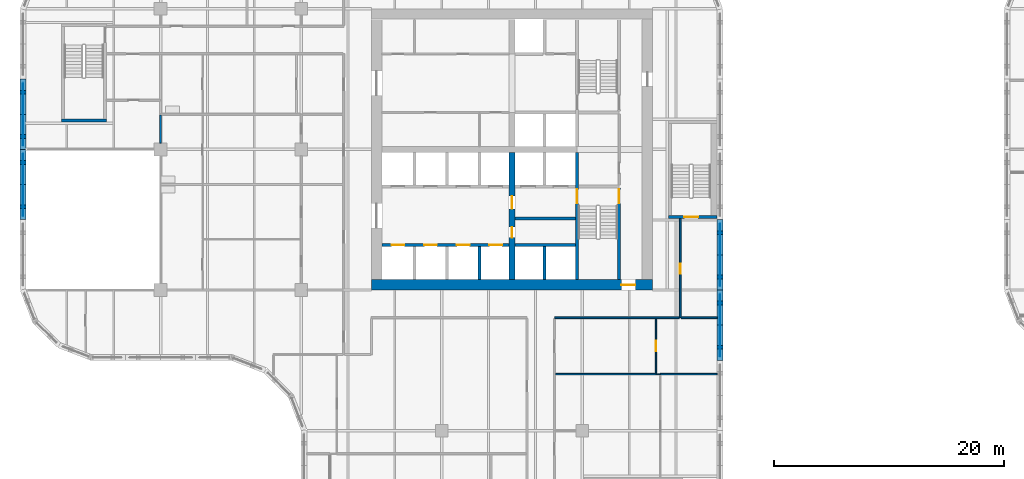
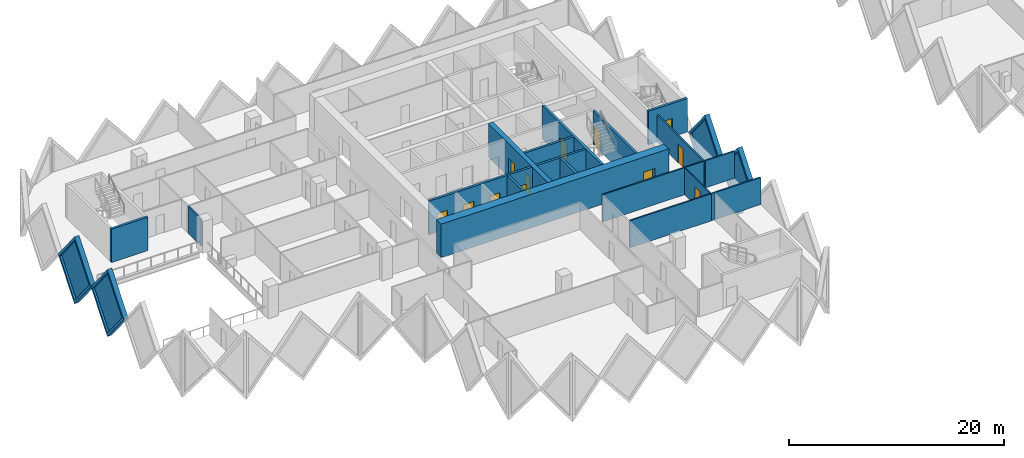
# One storey, part 7 of 20: 23 walls, 12 doors, 4 plates, 16 openings.
"""IFC4 building model written with IfcOpenShell, lengths in metres."""

from ifc_helpers import new_model, si_unit, direction, frame, frame_2d, origin, place, context, subcontext, project, spatial, polyline, rectangle, outline, extrude, faceted_brep, source, transform, mapped, material, layer, layer_set, type_object, element, fill, save


model = new_model("IFC4")

# Units and contexts
model_context = context("Model", 3, precision=1e-05, world=origin(), true_north=direction((0.0, 1.0)))
body_context = subcontext(model_context, "Body", "Model", "MODEL_VIEW")
ifc_project = project(units=[si_unit("LENGTHUNIT", "METRE"), si_unit("AREAUNIT", "SQUARE_METRE"), si_unit("VOLUMEUNIT", "CUBIC_METRE"), si_unit("PLANEANGLEUNIT", "RADIAN"), si_unit("MASSUNIT", "GRAM", prefix="KILO")], contexts=[model_context])

# Site, building, storey
site_placement = place(None, origin())
site = spatial("IfcSite", under=ifc_project, at=site_placement, CompositionType="ELEMENT")
building_placement = place(site_placement, origin())
building = spatial("IfcBuilding", under=site, at=building_placement, Name="Tessera Gate Towers", CompositionType="ELEMENT")
storey_placement = place(building_placement, frame((0.0, 0.0, 48.60009765625)))
storey = spatial("IfcBuildingStorey", under=building, at=storey_placement, Name="L11", CompositionType="ELEMENT", Elevation=48.60009765625)

# Wall, opening, door
ifc_material_1 = material(Name="Concrete C40/50", Category="concrete")
ifc_layer_1 = layer(ifc_material_1, 0.25)
ifc_layer_set_1 = layer_set([ifc_layer_1], Name="CORE ENCLOSURE WALL 250")
wall_type_1 = type_object("IfcWallType", Name="CORE ENCLOSURE WALL 250", PredefinedType="SOLIDWALL", material=ifc_layer_set_1)
wall_1_placement = place(storey_placement, frame((48.35009765625, 36.35009765625, 0.0), z_axis=(0.0, 0.0, 1.0), x_axis=(0.0, -1.0, 0.0)))
wall_1 = element("IfcWall", 1, at=wall_1_placement, inside=storey, type_object=wall_type_1, Name="L11 shaft and stair enclosure wall", PredefinedType="SOLIDWALL", context=body_context, shape_type="SweptSolid", body=[
    extrude(rectangle(XDim=11.050048828125, YDim=0.25, at=frame_2d((5.52490234375, 0.0))), origin(), (0.0, 0.0, 1.0), 3.7998046875),
])
shared_shape_1 = source(origin(), body_context, "Body", "SweptSolid", [
    extrude(rectangle(XDim=1.199951171875, YDim=2.10009765625, at=frame_2d((0.60009765625, 1.050048828125))), frame((0.0, 0.135009765625, 0.0), z_axis=(0.0, -1.0, 0.0), x_axis=(1.0, 0.0, 0.0)), (0.0, 0.0, 1.0), 0.27001953125),
])
opening_1_placement = place(wall_1_placement, frame((3.22509765625, 0.0, 0.0)))
opening_1 = element("IfcOpeningElement", 2, at=opening_1_placement, cuts=wall_1, Name="Opening SD-ST1-1", PredefinedType="OPENING", context=body_context, shape_type="MappedRepresentation", body=[
    mapped(shared_shape_1, transform((0.0, 0.0, 0.0), scale=1.0)),
])
ifc_material_2 = material(Name="Hollow steel fire door", Category="steel")
door_type_1 = type_object("IfcDoorType", Name="CORE DOOR SD 1200x2100", OperationType="NOTDEFINED", PredefinedType="DOOR", material=ifc_material_2)
shared_shape_2 = source(origin(), body_context, "Body", "SweptSolid", [
    extrude(rectangle(XDim=1.199951171875, YDim=2.10009765625, at=frame_2d((0.60009765625, 1.050048828125))), frame((0.0, 0.02490234375, 0.0), z_axis=(0.0, -1.0, 0.0), x_axis=(1.0, 0.0, 0.0)), (0.0, 0.0, 1.0), 0.050048828125),
])
door_1_placement = place(opening_1_placement, origin())
door_1 = element("IfcDoor", 3, at=door_1_placement, inside=storey, type_object=door_type_1, Name="Stair door", OperationType="SINGLE_SWING_LEFT", OverallHeight=2.10009765625, OverallWidth=1.199951171875, PredefinedType="DOOR", context=body_context, shape_type="MappedRepresentation", body=[
    mapped(shared_shape_2, transform((0.0, 0.0, 0.0), scale=1.0)),
])
fill(opening_1, door_1)

# Wall, openings, doors
wall_2_placement = place(storey_placement, frame((31.39990234375, 28.300048828125, 0.0), z_axis=(0.0, 0.0, 1.0), x_axis=(1.0, 0.0, 0.0)))
wall_2 = element("IfcWall", 4, at=wall_2_placement, inside=storey, type_object=wall_type_1, Name="L11 shaft and stair enclosure wall", PredefinedType="SOLIDWALL", context=body_context, shape_type="SweptSolid", body=[
    extrude(rectangle(XDim=11.050048828125, YDim=0.25, at=frame_2d((5.52490234375, 0.0))), origin(), (0.0, 0.0, 1.0), 3.7998046875),
])
shared_shape_3 = source(origin(), body_context, "Body", "SweptSolid", [
    extrude(rectangle(XDim=1.10009765625, YDim=2.10009765625, at=frame_2d((0.550048828125, 1.050048828125))), frame((0.0, 0.135009765625, 0.0), z_axis=(0.0, -1.0, 0.0), x_axis=(1.0, 0.0, 0.0)), (0.0, 0.0, 1.0), 0.27001953125),
])
opening_2_placement = place(wall_2_placement, frame((0.862548828125, 0.0, 0.0)))
opening_2 = element("IfcOpeningElement", 5, at=opening_2_placement, cuts=wall_2, Name="Opening LD-LR1", PredefinedType="OPENING", context=body_context, shape_type="MappedRepresentation", body=[
    mapped(shared_shape_3, transform((0.0, 0.0, 0.0), scale=1.0)),
])
opening_3_placement = place(wall_2_placement, frame((3.6875, 0.0, 0.0)))
opening_3 = element("IfcOpeningElement", 6, at=opening_3_placement, cuts=wall_2, Name="Opening LD-LR2", PredefinedType="OPENING", context=body_context, shape_type="MappedRepresentation", body=[
    mapped(shared_shape_3, transform((0.0, 0.0, 0.0), scale=1.0)),
])
opening_4_placement = place(wall_2_placement, frame((6.512451171875, 0.0, 0.0)))
opening_4 = element("IfcOpeningElement", 7, at=opening_4_placement, cuts=wall_2, Name="Opening LD-LR3", PredefinedType="OPENING", context=body_context, shape_type="MappedRepresentation", body=[
    mapped(shared_shape_3, transform((0.0, 0.0, 0.0), scale=1.0)),
])
opening_5_placement = place(wall_2_placement, frame((9.33740234375, 0.0, 0.0)))
opening_5 = element("IfcOpeningElement", 8, at=opening_5_placement, cuts=wall_2, Name="Opening LD-LR4", PredefinedType="OPENING", context=body_context, shape_type="MappedRepresentation", body=[
    mapped(shared_shape_3, transform((0.0, 0.0, 0.0), scale=1.0)),
])
ifc_material_3 = material(Name="Stainless steel", Category="steel")
door_type_2 = type_object("IfcDoorType", Name="CORE DOOR LD 1100x2100", OperationType="DOUBLE_DOOR_SLIDING", PredefinedType="DOOR", material=ifc_material_3)
shared_shape_4 = source(origin(), body_context, "Body", "SweptSolid", [
    extrude(rectangle(XDim=1.10009765625, YDim=2.10009765625, at=frame_2d((0.550048828125, 1.050048828125))), frame((0.0, 0.02490234375, 0.0), z_axis=(0.0, -1.0, 0.0), x_axis=(1.0, 0.0, 0.0)), (0.0, 0.0, 1.0), 0.050048828125),
])
door_2_placement = place(opening_2_placement, origin())
door_2 = element("IfcDoor", 9, at=door_2_placement, inside=storey, type_object=door_type_2, Name="Landing door LR1 L11", OperationType="DOUBLE_DOOR_SLIDING", OverallHeight=2.10009765625, OverallWidth=1.10009765625, PredefinedType="DOOR", context=body_context, shape_type="MappedRepresentation", body=[
    mapped(shared_shape_4, transform((0.0, 0.0, 0.0), scale=1.0)),
])
fill(opening_2, door_2)
door_3_placement = place(opening_3_placement, origin())
door_3 = element("IfcDoor", 10, at=door_3_placement, inside=storey, type_object=door_type_2, Name="Landing door LR2 L11", OperationType="DOUBLE_DOOR_SLIDING", OverallHeight=2.10009765625, OverallWidth=1.10009765625, PredefinedType="DOOR", context=body_context, shape_type="MappedRepresentation", body=[
    mapped(shared_shape_4, transform((0.0, 0.0, 0.0), scale=1.0)),
])
fill(opening_3, door_3)
door_4_placement = place(opening_4_placement, origin())
door_4 = element("IfcDoor", 11, at=door_4_placement, inside=storey, type_object=door_type_2, Name="Landing door LR3 L11", OperationType="DOUBLE_DOOR_SLIDING", OverallHeight=2.10009765625, OverallWidth=1.10009765625, PredefinedType="DOOR", context=body_context, shape_type="MappedRepresentation", body=[
    mapped(shared_shape_4, transform((0.0, 0.0, 0.0), scale=1.0)),
])
fill(opening_4, door_4)
door_5_placement = place(opening_5_placement, origin())
door_5 = element("IfcDoor", 12, at=door_5_placement, inside=storey, type_object=door_type_2, Name="Landing door LR4 L11", OperationType="DOUBLE_DOOR_SLIDING", OverallHeight=2.10009765625, OverallWidth=1.10009765625, PredefinedType="DOOR", context=body_context, shape_type="MappedRepresentation", body=[
    mapped(shared_shape_4, transform((0.0, 0.0, 0.0), scale=1.0)),
])
fill(opening_5, door_5)

# Wall
wall_3_placement = place(storey_placement, frame((42.949951171875, 28.300048828125, 0.0), z_axis=(0.0, 0.0, 1.0), x_axis=(1.0, 0.0, 0.0)))
element("IfcWall", 13, at=wall_3_placement, inside=storey, type_object=wall_type_1, Name="L11 shaft and stair enclosure wall", PredefinedType="SOLIDWALL", context=body_context, shape_type="SweptSolid", body=[
    extrude(rectangle(XDim=5.275146484375, YDim=0.25, at=frame_2d((2.6376953125, 0.0))), origin(), (0.0, 0.0, 1.0), 3.7998046875),
])

# Wall, opening, door
wall_4_placement = place(storey_placement, frame((52.0, 25.300048828125, 0.0), z_axis=(0.0, 0.0, 1.0), x_axis=(0.0, 1.0, 0.0)))
wall_4 = element("IfcWall", 14, at=wall_4_placement, inside=storey, type_object=wall_type_1, Name="L11 shaft and stair enclosure wall", PredefinedType="SOLIDWALL", context=body_context, shape_type="SweptSolid", body=[
    extrude(rectangle(XDim=7.974853515625, YDim=0.25, at=frame_2d((3.9873046875, 0.0))), origin(), (0.0, 0.0, 1.0), 3.7998046875),
])
opening_6_placement = place(wall_4_placement, frame((6.625, 0.0, 0.0)))
opening_6 = element("IfcOpeningElement", 15, at=opening_6_placement, cuts=wall_4, Name="Opening SD-ST1-2", PredefinedType="OPENING", context=body_context, shape_type="MappedRepresentation", body=[
    mapped(shared_shape_1, transform((0.0, 0.0, 0.0), scale=1.0)),
])
door_6_placement = place(opening_6_placement, origin())
door_6 = element("IfcDoor", 16, at=door_6_placement, inside=storey, type_object=door_type_1, Name="Stair door", OperationType="SINGLE_SWING_RIGHT", OverallHeight=2.10009765625, OverallWidth=1.199951171875, PredefinedType="DOOR", context=body_context, shape_type="MappedRepresentation", body=[
    mapped(shared_shape_2, transform((0.0, 0.0, 0.0), scale=1.0)),
])
fill(opening_6, door_6)

# Walls
wall_5_placement = place(storey_placement, frame((42.949951171875, 30.60009765625, 0.0), z_axis=(0.0, 0.0, 1.0), x_axis=(1.0, 0.0, 0.0)))
element("IfcWall", 17, at=wall_5_placement, inside=storey, type_object=wall_type_1, Name="L11 shaft and stair enclosure wall", PredefinedType="SOLIDWALL", context=body_context, shape_type="SweptSolid", body=[
    extrude(rectangle(XDim=5.275146484375, YDim=0.25, at=frame_2d((2.6376953125, 0.0))), origin(), (0.0, 0.0, 1.0), 3.7998046875),
])
for number, where, z_axis, x_axis, name in (
    (18, (39.875, 25.300048828125, 0.0), (0.0, 0.0, 1.0), (0.0, 1.0, 0.0), "L11 shaft and stair enclosure wall"),
    (19, (45.52490234375, 25.300048828125, 0.0), (0.0, 0.0, 1.0), (0.0, 1.0, 0.0), "L11 shaft and stair enclosure wall"),
):
    element("IfcWall", number, at=place(storey_placement, frame(where, z_axis=z_axis, x_axis=x_axis)), inside=storey, type_object=wall_type_1, Name=name, PredefinedType="SOLIDWALL", context=body_context, shape_type="SweptSolid", body=[
        extrude(rectangle(XDim=2.875, YDim=0.25, at=frame_2d((1.4375, 0.0))), origin(), (0.0, 0.0, 1.0), 3.7998046875),
    ])
wall_6_placement = place(storey_placement, frame((7.5, 39.125, 0.0), z_axis=(0.0, 0.0, 1.0), x_axis=(-1.0, 0.0, 0.0)))
element("IfcWall", 20, at=wall_6_placement, inside=storey, type_object=wall_type_1, Name="L11 ST3 enclosure wall", PredefinedType="SOLIDWALL", context=body_context, shape_type="SweptSolid", body=[
    extrude(rectangle(XDim=3.89990234375, YDim=0.25, at=frame_2d((1.949951171875, 0.0))), origin(), (0.0, 0.0, 1.0), 3.7998046875),
])

# Wall, opening, door
wall_7_placement = place(storey_placement, frame((60.5, 30.72509765625, 0.0), z_axis=(0.0, 0.0, 1.0), x_axis=(-1.0, 0.0, 0.0)))
wall_7 = element("IfcWall", 21, at=wall_7_placement, inside=storey, type_object=wall_type_1, Name="L11 ST5 enclosure wall", PredefinedType="SOLIDWALL", context=body_context, shape_type="SweptSolid", body=[
    extrude(rectangle(XDim=4.199951171875, YDim=0.25, at=frame_2d((2.10009765625, 0.0))), origin(), (0.0, 0.0, 1.0), 3.7998046875),
])
opening_7_placement = place(wall_7_placement, frame((1.64990234375, 0.0, 0.0)))
opening_7 = element("IfcOpeningElement", 22, at=opening_7_placement, cuts=wall_7, Name="Opening SD-ST5-1", PredefinedType="OPENING", context=body_context, shape_type="MappedRepresentation", body=[
    mapped(shared_shape_1, transform((0.0, 0.0, 0.0), scale=1.0)),
])
door_7_placement = place(opening_7_placement, origin())
door_7 = element("IfcDoor", 23, at=door_7_placement, inside=storey, type_object=door_type_1, Name="Stair door", OperationType="SINGLE_SWING_RIGHT", OverallHeight=2.10009765625, OverallWidth=1.199951171875, PredefinedType="DOOR", context=body_context, shape_type="MappedRepresentation", body=[
    mapped(shared_shape_2, transform((0.0, 0.0, 0.0), scale=1.0)),
])
fill(opening_7, door_7)

ifc_material_4 = material(Name="Concrete C70/85", Category="concrete")
ifc_layer_2 = layer(ifc_material_4, 0.89990234375)
ifc_layer_set_2 = layer_set([ifc_layer_2], Name="CORE SHEAR WALL 900 C70/85")
wall_type_2 = type_object("IfcWallType", Name="CORE SHEAR WALL 900 C70/85", PredefinedType="SHEAR", material=ifc_layer_set_2)
wall_8_placement = place(storey_placement, frame((54.89990234375, 24.85009765625, 0.0), z_axis=(0.0, 0.0, 1.0), x_axis=(-1.0, 0.0, 0.0)))
wall_8 = element("IfcWall", 24, at=wall_8_placement, inside=storey, type_object=wall_type_2, Name="Core wall S L11", PredefinedType="SHEAR", context=body_context, shape_type="SweptSolid", body=[
    extrude(rectangle(XDim=24.39990234375, YDim=0.89990234375, at=frame_2d((12.199951171875, 0.0))), origin(), (0.0, 0.0, 1.0), 3.7998046875),
])
shared_shape_5 = source(origin(), body_context, "Body", "SweptSolid", [
    extrude(rectangle(XDim=1.199951171875, YDim=2.10009765625, at=frame_2d((0.60009765625, 1.050048828125))), frame((0.0, 0.4599609375, 0.0), z_axis=(0.0, -1.0, 0.0), x_axis=(1.0, 0.0, 0.0)), (0.0, 0.0, 1.0), 0.919921875),
])
opening_8_placement = place(wall_8_placement, frame((1.5, 0.0, 0.0)))
opening_8 = element("IfcOpeningElement", 25, at=opening_8_placement, cuts=wall_8, Name="Opening ED-T1-08-01", PredefinedType="OPENING", context=body_context, shape_type="MappedRepresentation", body=[
    mapped(shared_shape_5, transform((0.0, 0.0, 0.0), scale=1.0)),
])
ifc_material_5 = material(Name="Hollow steel fire door", Category="steel")
door_type_3 = type_object("IfcDoorType", Name="CORE DOOR ED 1200x2100", OperationType="NOTDEFINED", PredefinedType="DOOR", material=ifc_material_5)
door_8_placement = place(opening_8_placement, origin())
door_8 = element("IfcDoor", 26, at=door_8_placement, inside=storey, type_object=door_type_3, Name="Core exit door", OperationType="SINGLE_SWING_LEFT", OverallHeight=2.10009765625, OverallWidth=1.199951171875, PredefinedType="DOOR", context=body_context, shape_type="MappedRepresentation", body=[
    mapped(shared_shape_2, transform((0.0, 0.0, 0.0), scale=1.0)),
])
fill(opening_8, door_8)

# Wall, openings, doors
ifc_material_6 = material(Name="Concrete C70/85", Category="concrete")
ifc_layer_3 = layer(ifc_material_6, 0.5)
ifc_layer_set_3 = layer_set([ifc_layer_3], Name="CORE SPINE WALL 500 C70/85")
wall_type_3 = type_object("IfcWallType", Name="CORE SPINE WALL 500 C70/85", PredefinedType="SHEAR", material=ifc_layer_set_3)
wall_9_placement = place(storey_placement, frame((42.699951171875, 36.35009765625, 0.0), z_axis=(0.0, 0.0, 1.0), x_axis=(0.0, -1.0, 0.0)))
wall_9 = element("IfcWall", 27, at=wall_9_placement, inside=storey, type_object=wall_type_3, Name="Core wall spine L11", PredefinedType="SHEAR", context=body_context, shape_type="SweptSolid", body=[
    extrude(rectangle(XDim=11.050048828125, YDim=0.5, at=frame_2d((5.52490234375, 0.0))), origin(), (0.0, 0.0, 1.0), 3.7998046875),
])
shared_shape_6 = source(origin(), body_context, "Body", "SweptSolid", [
    extrude(rectangle(XDim=0.89990234375, YDim=2.10009765625, at=frame_2d((0.449951171875, 1.050048828125))), frame((0.0, 0.260009765625, 0.0), z_axis=(0.0, -1.0, 0.0), x_axis=(1.0, 0.0, 0.0)), (0.0, 0.0, 1.0), 0.52001953125),
])
opening_9_placement = place(wall_9_placement, frame((6.5, 0.0, 0.0)))
opening_9 = element("IfcOpeningElement", 28, at=opening_9_placement, cuts=wall_9, Name="Opening RD-T1-08-05", PredefinedType="OPENING", context=body_context, shape_type="MappedRepresentation", body=[
    mapped(shared_shape_6, transform((0.0, 0.0, 0.0), scale=1.0)),
])
shared_shape_7 = source(origin(), body_context, "Body", "SweptSolid", [
    extrude(rectangle(XDim=1.10009765625, YDim=2.10009765625, at=frame_2d((0.550048828125, 1.050048828125))), frame((0.0, 0.260009765625, 0.0), z_axis=(0.0, -1.0, 0.0), x_axis=(1.0, 0.0, 0.0)), (0.0, 0.0, 1.0), 0.52001953125),
])
opening_10_placement = place(wall_9_placement, frame((3.800048828125, 0.0, 0.0)))
opening_10 = element("IfcOpeningElement", 29, at=opening_10_placement, cuts=wall_9, Name="Opening FD-T1-08-06", PredefinedType="OPENING", context=body_context, shape_type="MappedRepresentation", body=[
    mapped(shared_shape_7, transform((0.0, 0.0, 0.0), scale=1.0)),
])
ifc_material_7 = material(Name="Hollow steel fire door", Category="steel")
door_type_4 = type_object("IfcDoorType", Name="CORE DOOR RD 900x2100", OperationType="NOTDEFINED", PredefinedType="DOOR", material=ifc_material_7)
shared_shape_8 = source(origin(), body_context, "Body", "SweptSolid", [
    extrude(rectangle(XDim=0.89990234375, YDim=2.10009765625, at=frame_2d((0.449951171875, 1.050048828125))), frame((0.0, 0.02490234375, 0.0), z_axis=(0.0, -1.0, 0.0), x_axis=(1.0, 0.0, 0.0)), (0.0, 0.0, 1.0), 0.050048828125),
])
door_9_placement = place(opening_9_placement, origin())
door_9 = element("IfcDoor", 30, at=door_9_placement, inside=storey, type_object=door_type_4, Name="Core room door", OperationType="SINGLE_SWING_RIGHT", OverallHeight=2.10009765625, OverallWidth=0.89990234375, PredefinedType="DOOR", context=body_context, shape_type="MappedRepresentation", body=[
    mapped(shared_shape_8, transform((0.0, 0.0, 0.0), scale=1.0)),
])
fill(opening_9, door_9)
ifc_material_8 = material(Name="Hollow steel fire door", Category="steel")
door_type_5 = type_object("IfcDoorType", Name="CORE DOOR FD 1100x2100", OperationType="NOTDEFINED", PredefinedType="DOOR", material=ifc_material_8)
door_10_placement = place(opening_10_placement, origin())
door_10 = element("IfcDoor", 31, at=door_10_placement, inside=storey, type_object=door_type_5, Name="Fire-fighting lobby door", OperationType="SINGLE_SWING_LEFT", OverallHeight=2.10009765625, OverallWidth=1.10009765625, PredefinedType="DOOR", context=body_context, shape_type="MappedRepresentation", body=[
    mapped(shared_shape_4, transform((0.0, 0.0, 0.0), scale=1.0)),
])
fill(opening_10, door_10)

# Wall
ifc_material_9 = material(Name="Gypsum board on steel studs, mineral wool", Category="steel")
ifc_layer_4 = layer(ifc_material_9, 0.14990234375)
ifc_layer_set_4 = layer_set([ifc_layer_4], Name="CORRIDOR WALL 150")
wall_type_4 = type_object("IfcWallType", Name="CORRIDOR WALL 150", PredefinedType="PARTITIONING", material=ifc_layer_set_4)
wall_10_placement = place(storey_placement, frame((46.39990234375, 22.0, 0.0), z_axis=(0.0, 0.0, 1.0), x_axis=(1.0, 0.0, 0.0)))
element("IfcWall", 32, at=wall_10_placement, inside=storey, type_object=wall_type_4, Name="T1-L11-PW-027", PredefinedType="PARTITIONING", context=body_context, shape_type="SweptSolid", body=[
    extrude(rectangle(XDim=10.82421875, YDim=0.14990234375, at=frame_2d((5.412109375, 0.0))), origin(), (0.0, 0.0, 1.0), 3.06689453125),
])

# Wall, opening, door
wall_11_placement = place(storey_placement, frame((57.300048828125, 30.60009765625, 0.0), z_axis=(0.0, 0.0, 1.0), x_axis=(0.0, -1.0, 0.0)))
wall_11 = element("IfcWall", 33, at=wall_11_placement, inside=storey, type_object=wall_type_4, Name="T1-L11-PW-028", PredefinedType="PARTITIONING", context=body_context, shape_type="SweptSolid", body=[
    extrude(rectangle(XDim=8.60009765625, YDim=0.14990234375, at=frame_2d((4.300048828125, 0.0))), origin(), (0.0, 0.0, 1.0), 3.06689453125),
])
shared_shape_9 = source(origin(), body_context, "Body", "SweptSolid", [
    extrude(rectangle(XDim=0.89990234375, YDim=2.10009765625, at=frame_2d((0.449951171875, 1.050048828125))), frame((0.0, 0.0849609375, 0.0), z_axis=(0.0, -1.0, 0.0), x_axis=(1.0, 0.0, 0.0)), (0.0, 0.0, 1.0), 0.169921875),
])
opening_11_placement = place(wall_11_placement, frame((3.89990234375, 0.0, 0.0)))
opening_11 = element("IfcOpeningElement", 34, at=opening_11_placement, cuts=wall_11, Name="Opening D890FD60-A04-02", PredefinedType="OPENING", context=body_context, shape_type="MappedRepresentation", body=[
    mapped(shared_shape_9, transform((0.0, 0.0, 0.0), scale=1.0)),
])
ifc_material_10 = material(Name="Timber door leaf in steel frame", Category="steel")
door_type_6 = type_object("IfcDoorType", Name="CORRIDOR DOOR 900 FD60", OperationType="NOTDEFINED", PredefinedType="DOOR", material=ifc_material_10)
door_11_placement = place(opening_11_placement, origin())
door_11 = element("IfcDoor", 35, at=door_11_placement, inside=storey, type_object=door_type_6, Name="T1-L11-PD-020", OperationType="SINGLE_SWING_RIGHT", OverallHeight=2.10009765625, OverallWidth=0.89990234375, PredefinedType="DOOR", context=body_context, shape_type="MappedRepresentation", body=[
    mapped(shared_shape_8, transform((0.0, 0.0, 0.0), scale=1.0)),
])
fill(opening_11, door_11)

# Wall
ifc_material_11 = material(Name="Glass", Category="glass")
ifc_layer_5 = layer(ifc_material_11, 0.10009765625)
ifc_layer_set_5 = layer_set([ifc_layer_5], Name="GLAZED PARTITION 100")
wall_type_5 = type_object("IfcWallType", Name="GLAZED PARTITION 100", PredefinedType="PARTITIONING", material=ifc_layer_set_5)
wall_12_placement = place(storey_placement, frame((55.200927734375, 17.10009765625, 0.0), z_axis=(0.0, 0.0, 1.0), x_axis=(1.0, 0.0, 0.0)))
element("IfcWall", 36, at=wall_12_placement, inside=storey, type_object=wall_type_5, Name="T1-L11-PW-017", PredefinedType="PARTITIONING", context=body_context, shape_type="SweptSolid", body=[
    extrude(rectangle(XDim=0.373046875, YDim=0.10009765625, at=frame_2d((0.1865234375, 0.0))), origin(), (0.0, 0.0, 1.0), 3.06689453125),
])

# Wall, opening, door
wall_13_placement = place(storey_placement, frame((55.199951171875, 21.924072265625, 0.0), z_axis=(0.0, 0.0, 1.0), x_axis=(0.0, -1.0, 0.0)))
wall_13 = element("IfcWall", 37, at=wall_13_placement, inside=storey, type_object=wall_type_5, Name="T1-L11-PW-019", PredefinedType="PARTITIONING", context=body_context, shape_type="SweptSolid", body=[
    extrude(rectangle(XDim=4.748046875, YDim=0.10009765625, at=frame_2d((2.3740234375, 0.0))), origin(), (0.0, 0.0, 1.0), 3.06689453125),
])
shared_shape_10 = source(origin(), body_context, "Body", "SweptSolid", [
    extrude(rectangle(XDim=0.89990234375, YDim=2.10009765625, at=frame_2d((0.449951171875, 1.050048828125))), frame((0.0, 0.06005859375, 0.0), z_axis=(0.0, -1.0, 0.0), x_axis=(1.0, 0.0, 0.0)), (0.0, 0.0, 1.0), 0.1201171875),
])
opening_12_placement = place(wall_13_placement, frame((1.947998046875, 0.0, 0.0)))
opening_12 = element("IfcOpeningElement", 38, at=opening_12_placement, cuts=wall_13, Name="Opening D690-A04-01", PredefinedType="OPENING", context=body_context, shape_type="MappedRepresentation", body=[
    mapped(shared_shape_10, transform((0.0, 0.0, 0.0), scale=1.0)),
])
ifc_material_12 = material(Name="Glass in aluminium frame", Category="aluminium")
door_type_7 = type_object("IfcDoorType", Name="GLAZED DOOR 900 NOT RATED", OperationType="NOTDEFINED", PredefinedType="DOOR", material=ifc_material_12)
door_12_placement = place(opening_12_placement, origin())
door_12 = element("IfcDoor", 39, at=door_12_placement, inside=storey, type_object=door_type_7, Name="T1-L11-PD-007", OperationType="SINGLE_SWING_RIGHT", OverallHeight=2.10009765625, OverallWidth=0.89990234375, PredefinedType="DOOR", context=body_context, shape_type="MappedRepresentation", body=[
    mapped(shared_shape_8, transform((0.0, 0.0, 0.0), scale=1.0)),
])
fill(opening_12, door_12)

# Walls
ifc_material_13 = material(Name="Gypsum board on steel studs, mineral wool", Category="steel")
ifc_layer_6 = layer(ifc_material_13, 0.14990234375)
ifc_layer_set_6 = layer_set([ifc_layer_6], Name="TENANCY WALL 150")
wall_type_6 = type_object("IfcWallType", Name="TENANCY WALL 150", PredefinedType="PARTITIONING", material=ifc_layer_set_6)
wall_14_placement = place(storey_placement, frame((46.47607421875, 17.10009765625, 0.0), z_axis=(0.0, 0.0, 1.0), x_axis=(1.0, 0.0, 0.0)))
element("IfcWall", 40, at=wall_14_placement, inside=storey, type_object=wall_type_6, Name="T1-L11-PW-016", PredefinedType="PARTITIONING", context=body_context, shape_type="SweptSolid", body=[
    extrude(rectangle(XDim=8.723876953125, YDim=0.14990234375, at=frame_2d((4.36181640625, 0.0))), origin(), (0.0, 0.0, 1.0), 3.06689453125),
])
wall_15_placement = place(storey_placement, frame((55.574951171875, 17.10009765625, 0.0), z_axis=(0.0, 0.0, 1.0), x_axis=(1.0, 0.0, 0.0)))
element("IfcWall", 41, at=wall_15_placement, inside=storey, type_object=wall_type_6, Name="T1-L11-PW-018", PredefinedType="PARTITIONING", context=body_context, shape_type="SweptSolid", body=[
    extrude(rectangle(XDim=4.925048828125, YDim=0.14990234375, at=frame_2d((2.46240234375, 0.0))), origin(), (0.0, 0.0, 1.0), 3.06689453125),
])
wall_16_placement = place(storey_placement, frame((57.3759765625, 22.0, 0.0), z_axis=(0.0, 0.0, 1.0), x_axis=(1.0, 0.0, 0.0)))
element("IfcWall", 42, at=wall_16_placement, inside=storey, type_object=wall_type_6, Name="T1-L11-PW-029", PredefinedType="PARTITIONING", context=body_context, shape_type="SweptSolid", body=[
    extrude(rectangle(XDim=3.1240234375, YDim=0.14990234375, at=frame_2d((1.56201171875, 0.0))), origin(), (0.0, 0.0, 1.0), 3.06689453125),
])
wall_17_placement = place(storey_placement, frame((12.199951171875, 37.15087890625, 0.0), z_axis=(0.0, 0.0, 1.0), x_axis=(0.0, 1.0, 0.0)))
element("IfcWall", 43, at=wall_17_placement, inside=storey, type_object=wall_type_6, Name="T1-L11-PW-039", PredefinedType="PARTITIONING", context=body_context, shape_type="SweptSolid", body=[
    extrude(rectangle(XDim=2.423095703125, YDim=0.14990234375, at=frame_2d((1.21142578125, 0.0))), origin(), (0.0, 0.0, 1.0), 3.06689453125),
])

# Wall, opening, plate
ifc_material_14 = material(Name="Precast concrete C60/75 white", Category="concrete")
ifc_layer_7 = layer(ifc_material_14, 0.5)
ifc_layer_set_7 = layer_set([ifc_layer_7], Name="TS1 tessera")
wall_type_7 = type_object("IfcWallType", Name="TS1 tessera", PredefinedType="SOLIDWALL", material=ifc_layer_set_7)
shared_shape_11 = source(origin(), body_context, "Body", "Brep", [
    faceted_brep([(3.050048828125, -0.25, 0.0), (6.099853515625, -0.25, 3.7998046875), (6.099853515625, -0.25, 3.80029296875), (3.050048828125, -0.25, 7.599853515625), (0.0, -0.25, 3.800048828125), (0.0, 0.25, 3.800048828125), (3.050048828125, 0.25, 7.599853515625), (6.099853515625, 0.25, 3.80029296875), (6.099853515625, 0.25, 3.7998046875), (3.050048828125, 0.25, 0.0)], [[[0, 1, 2, 3, 4]], [[5, 6, 7, 8, 9]], [[9, 8, 1, 0]], [[7, 6, 3, 2]], [[6, 5, 4, 3]], [[5, 9, 0, 4]], [[1, 8, 7, 2]]]),
])
wall_18_placement = place(storey_placement, frame((60.75, 18.300048828125, -3.800048828125), z_axis=(0.0, 0.0, 1.0), x_axis=(0.0, 1.0, 0.0)))
wall_18 = element("IfcWall", 44, at=wall_18_placement, inside=storey, type_object=wall_type_7, Name="Precast tessera T1 TS1-0143", PredefinedType="SOLIDWALL", context=body_context, shape_type="MappedRepresentation", body=[
    mapped(shared_shape_11, transform((0.0, 0.0, 0.0), scale=1.0)),
])
shared_shape_12 = source(origin(), body_context, "Body", "SweptSolid", [
    extrude(outline(polyline([(3.050048828125, 0.3994140625), (5.779541015625, 3.800048828125), (3.050048828125, 7.200439453125), (0.320556640625, 3.800048828125), (3.050048828125, 0.3994140625)])), frame((0.0, 0.260009765625, 0.0), z_axis=(0.0, -1.0, 0.0), x_axis=(1.0, 0.0, 0.0)), (0.0, 0.0, 1.0), 0.52001953125),
])
opening_13_placement = place(wall_18_placement, origin())
opening_13 = element("IfcOpeningElement", 45, at=opening_13_placement, cuts=wall_18, Name="Opening T1-PL2-0293", PredefinedType="OPENING", context=body_context, shape_type="MappedRepresentation", body=[
    mapped(shared_shape_12, transform((0.0, 0.0, 0.0), scale=1.0)),
])
ifc_material_15 = material(Name="Low-e laminated glass", Category="glass")
ifc_layer_8 = layer(ifc_material_15, 0.06005859375)
ifc_layer_set_8 = layer_set([ifc_layer_8], Name="PL2 rhombic pane")
plate_type = type_object("IfcPlateType", Name="PL2 rhombic pane", PredefinedType="SHEET", material=ifc_layer_set_8)
shared_shape_13 = source(origin(), body_context, "Body", "SweptSolid", [
    extrude(outline(polyline([(3.050048828125, 0.3994140625), (5.779541015625, 3.800048828125), (3.050048828125, 7.200439453125), (0.320556640625, 3.800048828125), (3.050048828125, 0.3994140625)])), frame((0.0, 0.030029296875, 0.0), z_axis=(0.0, -1.0, 0.0), x_axis=(1.0, 0.0, 0.0)), (0.0, 0.0, 1.0), 0.06005859375),
])
plate_1_placement = place(opening_13_placement, origin())
plate_1 = element("IfcPlate", 46, at=plate_1_placement, inside=storey, type_object=plate_type, Name="Glass pane T1 PL2-0293", PredefinedType="SHEET", context=body_context, shape_type="MappedRepresentation", body=[
    mapped(shared_shape_13, transform((0.0, 0.0, 0.0), scale=1.0)),
])
fill(opening_13, plate_1)

wall_19_placement = place(storey_placement, frame((0.25, 42.699951171875, -3.800048828125), z_axis=(0.0, 0.0, 1.0), x_axis=(0.0, -1.0, 0.0)))
wall_19 = element("IfcWall", 47, at=wall_19_placement, inside=storey, type_object=wall_type_7, Name="Precast tessera T1 TS1-0156", PredefinedType="SOLIDWALL", context=body_context, shape_type="MappedRepresentation", body=[
    mapped(shared_shape_11, transform((0.0, 0.0, 0.0), scale=1.0)),
])
opening_14_placement = place(wall_19_placement, origin())
opening_14 = element("IfcOpeningElement", 48, at=opening_14_placement, cuts=wall_19, Name="Opening T1-PL2-0314", PredefinedType="OPENING", context=body_context, shape_type="MappedRepresentation", body=[
    mapped(shared_shape_12, transform((0.0, 0.0, 0.0), scale=1.0)),
])
plate_2_placement = place(opening_14_placement, origin())
plate_2 = element("IfcPlate", 49, at=plate_2_placement, inside=storey, type_object=plate_type, Name="Glass pane T1 PL2-0314", PredefinedType="SHEET", context=body_context, shape_type="MappedRepresentation", body=[
    mapped(shared_shape_13, transform((0.0, 0.0, 0.0), scale=1.0)),
])
fill(opening_14, plate_2)

shared_shape_14 = source(origin(), body_context, "Body", "SweptSolid", [
    extrude(outline(polyline([(3.050048828125, 0.0), (6.10009765625, 3.800048828125), (3.050048828125, 7.599853515625), (0.0, 3.800048828125), (3.050048828125, 0.0)])), frame((0.0, 0.25, 0.0), z_axis=(0.0, -1.0, 0.0), x_axis=(1.0, 0.0, 0.0)), (0.0, 0.0, 1.0), 0.5),
])
wall_20_placement = place(storey_placement, frame((60.75, 24.39990234375, -3.800048828125), z_axis=(0.0, 0.0, 1.0), x_axis=(0.0, 1.0, 0.0)))
wall_20 = element("IfcWall", 50, at=wall_20_placement, inside=storey, type_object=wall_type_7, Name="Precast tessera T1 TS1-0144", PredefinedType="SOLIDWALL", context=body_context, shape_type="MappedRepresentation", body=[
    mapped(shared_shape_14, transform((0.0, 0.0, 0.0), scale=1.0)),
])
opening_15_placement = place(wall_20_placement, origin())
opening_15 = element("IfcOpeningElement", 51, at=opening_15_placement, cuts=wall_20, Name="Opening T1-PL2-0294", PredefinedType="OPENING", context=body_context, shape_type="MappedRepresentation", body=[
    mapped(shared_shape_12, transform((0.0, 0.0, 0.0), scale=1.0)),
])
plate_3_placement = place(opening_15_placement, origin())
plate_3 = element("IfcPlate", 52, at=plate_3_placement, inside=storey, type_object=plate_type, Name="Glass pane T1 PL2-0294", PredefinedType="SHEET", context=body_context, shape_type="MappedRepresentation", body=[
    mapped(shared_shape_13, transform((0.0, 0.0, 0.0), scale=1.0)),
])
fill(opening_15, plate_3)

wall_21_placement = place(storey_placement, frame((0.25, 36.60009765625, -3.800048828125), z_axis=(0.0, 0.0, 1.0), x_axis=(0.0, -1.0, 0.0)))
wall_21 = element("IfcWall", 53, at=wall_21_placement, inside=storey, type_object=wall_type_7, Name="Precast tessera T1 TS1-0157", PredefinedType="SOLIDWALL", context=body_context, shape_type="MappedRepresentation", body=[
    mapped(shared_shape_14, transform((0.0, 0.0, 0.0), scale=1.0)),
])
opening_16_placement = place(wall_21_placement, origin())
opening_16 = element("IfcOpeningElement", 54, at=opening_16_placement, cuts=wall_21, Name="Opening T1-PL2-0315", PredefinedType="OPENING", context=body_context, shape_type="MappedRepresentation", body=[
    mapped(shared_shape_12, transform((0.0, 0.0, 0.0), scale=1.0)),
])
plate_4_placement = place(opening_16_placement, origin())
plate_4 = element("IfcPlate", 55, at=plate_4_placement, inside=storey, type_object=plate_type, Name="Glass pane T1 PL2-0315", PredefinedType="SHEET", context=body_context, shape_type="MappedRepresentation", body=[
    mapped(shared_shape_13, transform((0.0, 0.0, 0.0), scale=1.0)),
])
fill(opening_16, plate_4)

save(model, "model.ifc")
